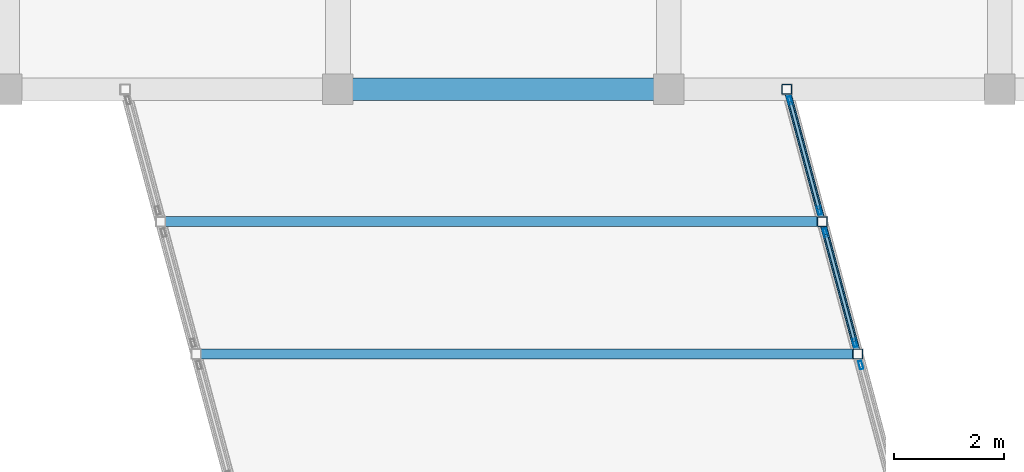
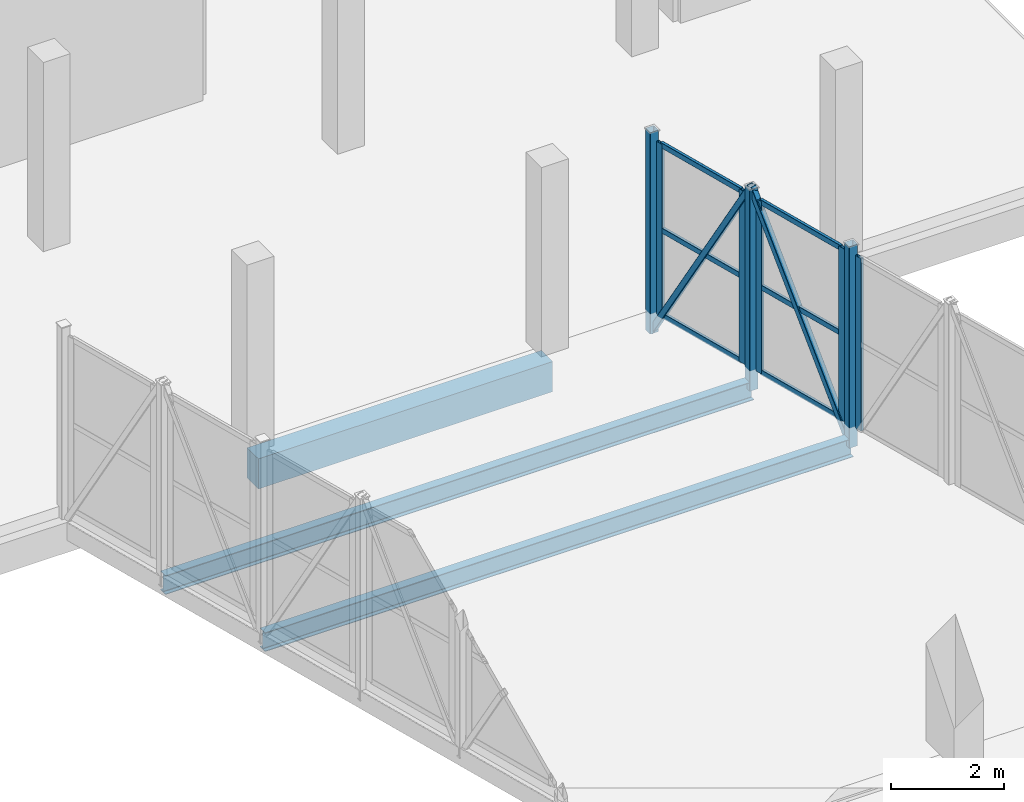
# One storey, part 53 of 127: 16 members, 3 beams, 3 elements without a shape of their own.
"""IFC4 building model written with IfcOpenShell, lengths in metres."""

import ifcopenshell
import ifcopenshell.guid

model = None  # the IFC model being written
_history = None  # IfcOwnerHistory: only IFC2X3 demands one
_inside = {}  # id of a spatial element -> (the spatial element, [elements in it])
_under = {}  # id of a project, library or spatial element -> (it, [spatial elements below it])
_declared = {}  # id of a project -> (the project, [libraries it declares])
_typed = {}  # id of a type object -> (the type object, [elements of that type])
_made_of = {}  # id of a material, layer set ... -> (it, [elements and type objects made of it])


def new_model(schema):
    """Start an empty IFC model of exactly this schema.

    Asked for "IFC4X3", IfcOpenShell would pick the latest addendum, in which some entities
    have other attributes; the version numbers below select the first issue.
    IFC2X3 requires an IfcOwnerHistory on every rooted entity: one is made here for all.
    """
    global model, _history
    if schema == "IFC4X3":
        model = ifcopenshell.file(schema_version=(4, 3, 0, 0))
    else:
        model = ifcopenshell.file(schema=schema)
    _inside.clear()
    _under.clear()
    _declared.clear()
    _typed.clear()
    _made_of.clear()
    _history = None
    if model.schema == "IFC2X3":
        org = make("IfcOrganization", Name="unknown")
        user = make(
            "IfcPersonAndOrganization",
            ThePerson=make("IfcPerson", FamilyName="unknown"),
            TheOrganization=org,
        )
        app = make(
            "IfcApplication",
            ApplicationDeveloper=org,
            Version="unknown",
            ApplicationFullName="unknown",
            ApplicationIdentifier="unknown",
        )
        _history = make(
            "IfcOwnerHistory",
            OwningUser=user,
            OwningApplication=app,
            ChangeAction="ADDED",
            CreationDate=0,
        )
    return model


def make(cls, **values):
    """One entity of the class cls with the attributes given. An attribute that is None is left unset."""
    return model.create_entity(
        cls, **{name: value for name, value in values.items() if value is not None}
    )


def rooted(cls, **values):
    """An entity with a GlobalId (a new one), such as an element, a storey or a relation."""
    return make(cls, GlobalId=ifcopenshell.guid.new(), OwnerHistory=_history, **values)


def si_unit(unit_type, name, prefix=None):
    """IfcSIUnit, for example si_unit("LENGTHUNIT", "METRE", prefix="MILLI")."""
    return make("IfcSIUnit", UnitType=unit_type, Prefix=prefix, Name=name)


def assignment(units):
    """IfcUnitAssignment: the units of a project."""
    return None if units is None else make("IfcUnitAssignment", Units=units)


def point(xyz):
    """IfcCartesianPoint."""
    return None if xyz is None else make("IfcCartesianPoint", Coordinates=xyz)


def direction(xyz):
    """IfcDirection."""
    return None if xyz is None else make("IfcDirection", DirectionRatios=xyz)


def frame(location, z_axis=None, x_axis=None):
    """IfcAxis2Placement3D, a coordinate frame: its origin and axes. An axis left out is left unset."""
    return make(
        "IfcAxis2Placement3D",
        Location=point(location),
        Axis=direction(z_axis),
        RefDirection=direction(x_axis),
    )


def frame_2d(location, x_axis=None):
    """IfcAxis2Placement2D, a coordinate frame in the plane: its origin and x axis."""
    return make(
        "IfcAxis2Placement2D", Location=point(location), RefDirection=direction(x_axis)
    )


def origin():
    """The frame at (0, 0, 0) with its axes left unset."""
    return frame((0.0, 0.0, 0.0))


def origin_2d():
    """The frame at (0, 0) in the plane with its x axis left unset."""
    return frame_2d((0.0, 0.0))


def place(relative_to, where):
    """IfcLocalPlacement: puts the frame where relative to a parent placement (None: the world)."""
    return make(
        "IfcLocalPlacement", PlacementRelTo=relative_to, RelativePlacement=where
    )


def context(
    kind, dimensions, precision=None, world=None, true_north=None, identifier=None
):
    """IfcGeometricRepresentationContext, for example the 3D "Model" context."""
    return make(
        "IfcGeometricRepresentationContext",
        ContextIdentifier=identifier,
        ContextType=kind,
        CoordinateSpaceDimension=dimensions,
        Precision=precision,
        WorldCoordinateSystem=world,
        TrueNorth=true_north,
    )


def subcontext(parent, identifier, kind, view, scale=None):
    """IfcGeometricRepresentationSubContext, for example "Body" below "Model"."""
    return make(
        "IfcGeometricRepresentationSubContext",
        ContextIdentifier=identifier,
        ContextType=kind,
        ParentContext=parent,
        TargetScale=scale,
        TargetView=view,
    )


def project(units=None, contexts=None):
    """IfcProject with its units and contexts."""
    return rooted(
        "IfcProject",
        Name="project",
        RepresentationContexts=contexts,
        UnitsInContext=assignment(units),
    )


def spatial(cls, under=None, at=None, **own):
    """A site, building, storey or space (cls), placed at a placement, below another one or the project."""
    s = rooted(cls, ObjectPlacement=at, **own)
    if under is not None:
        _under.setdefault(under.id(), (under, []))[1].append(s)
    return s


def profile(cls, at=None, kind="AREA", **sizes):
    """A parametric profile (cls). Its sizes go by their IFC names, for example OverallWidth=200.0."""
    return make(cls, ProfileType=kind, Position=at, **sizes)


def rectangle(**sizes):
    """IfcRectangleProfileDef."""
    return profile("IfcRectangleProfileDef", **sizes)


def hollow_rectangle(**sizes):
    """IfcRectangleHollowProfileDef."""
    return profile("IfcRectangleHollowProfileDef", **sizes)


def i_section(**sizes):
    """IfcIShapeProfileDef."""
    return profile("IfcIShapeProfileDef", **sizes)


def extrude(swept, where, along, depth):
    """IfcExtrudedAreaSolid: the profile swept, set in the frame where, extruded along a direction by depth."""
    return make(
        "IfcExtrudedAreaSolid",
        SweptArea=swept,
        Position=where,
        ExtrudedDirection=direction(along),
        Depth=depth,
    )


def shape(context_of_items, identifier, shape_type, items):
    """IfcShapeRepresentation: the items that make up one representation, for example the "Body"."""
    return make(
        "IfcShapeRepresentation",
        ContextOfItems=context_of_items,
        RepresentationIdentifier=identifier,
        RepresentationType=shape_type,
        Items=items,
    )


def material(Name=None, Category=None):
    """IfcMaterial."""
    return make("IfcMaterial", Name=Name, Category=Category)


def layer(
    of_material, thickness, ventilated=None, Name=None, Category=None, Priority=None
):
    """IfcMaterialLayer: one layer of a wall or slab, of a material (None: an air gap)."""
    return make(
        "IfcMaterialLayer",
        Material=of_material,
        LayerThickness=thickness,
        IsVentilated=ventilated,
        Name=Name,
        Category=Category,
        Priority=Priority,
    )


def layer_set(layers, Name=None):
    """IfcMaterialLayerSet."""
    return make("IfcMaterialLayerSet", MaterialLayers=layers, LayerSetName=Name)


def material_profile(
    of_material, cross_section, Name=None, Category=None, Priority=None
):
    """IfcMaterialProfile: a cross section and its material."""
    return make(
        "IfcMaterialProfile",
        Name=Name,
        Material=of_material,
        Profile=cross_section,
        Priority=Priority,
        Category=Category,
    )


def profile_set(profiles, Name=None, composite=None):
    """IfcMaterialProfileSet."""
    return make(
        "IfcMaterialProfileSet",
        Name=Name,
        MaterialProfiles=profiles,
        CompositeProfile=composite,
    )


def made_of(thing, what):
    """Note that an element or type object is made of a material, layer set ...; save() writes the relation."""
    if what is not None:
        _made_of.setdefault(what.id(), (what, []))[1].append(thing)
    return thing


def type_object(cls, material=None, **own):
    """A type object (cls), such as IfcWallType, which elements share."""
    return made_of(rooted(cls, **own), material)


def element(
    cls,
    number,
    at=None,
    inside=None,
    cuts=None,
    type_object=None,
    material=None,
    context=None,
    identifier="Body",
    shape_type=None,
    held_by="IfcProductDefinitionShape",
    body=None,
    shapes=None,
    **own,
):
    """One element of the class cls, such as IfcWall. Its Tag is "e" and its number.

    at: its placement. inside: the storey or other place that contains it. cuts: it is an
    opening in that element (IfcRelVoidsElement). A single representation is given by context,
    identifier, shape_type and body (its items); several are given by shapes. held_by: the class
    of the entity that holds the representations. save() writes the other relations.
    """
    e = rooted(cls, Tag="e%d" % number, ObjectPlacement=at, **own)
    if body is not None:
        shapes = [shape(context, identifier, shape_type, body)]
    if shapes is not None:
        e.Representation = make(held_by, Representations=shapes)
    if inside is not None:
        _inside.setdefault(inside.id(), (inside, []))[1].append(e)
    if cuts is not None:
        rooted(
            "IfcRelVoidsElement", RelatingBuildingElement=cuts, RelatedOpeningElement=e
        )
    if type_object is not None:
        _typed.setdefault(type_object.id(), (type_object, []))[1].append(e)
    return made_of(e, material)


def aggregate(whole, parts):
    """IfcRelAggregates: a whole, such as a stair, and the parts it consists of."""
    return rooted("IfcRelAggregates", RelatingObject=whole, RelatedObjects=parts)


def save(model, path):
    """Write the relations noted so far, then the file.

    IfcRelAggregates (storeys below a building ...), IfcRelContainedInSpatialStructure (elements
    in a storey), IfcRelDefinesByType, IfcRelAssociatesMaterial and IfcRelDeclares: one each for
    every whole, place, type object, material and project.
    """
    for whole, parts in _under.values():
        aggregate(whole, parts)
    for where, things in _inside.values():
        rooted(
            "IfcRelContainedInSpatialStructure",
            RelatedElements=things,
            RelatingStructure=where,
        )
    for kind, things in _typed.values():
        rooted("IfcRelDefinesByType", RelatedObjects=things, RelatingType=kind)
    for what, things in _made_of.values():
        rooted("IfcRelAssociatesMaterial", RelatedObjects=things, RelatingMaterial=what)
    for by, libraries in _declared.values():
        rooted("IfcRelDeclares", RelatingContext=by, RelatedDefinitions=libraries)
    model.write(path)


model = new_model("IFC4")

# Units and contexts
model_context = context("Model", 3, precision=1e-05, world=origin(), true_north=direction((0.0, 1.0)))
body_context = subcontext(model_context, "Body", "Model", "MODEL_VIEW")
ifc_project = project(units=[si_unit("LENGTHUNIT", "METRE"), si_unit("AREAUNIT", "SQUARE_METRE"), si_unit("VOLUMEUNIT", "CUBIC_METRE"), si_unit("PLANEANGLEUNIT", "RADIAN"), si_unit("MASSUNIT", "GRAM", prefix="KILO")], contexts=[model_context])

# Site, building, storey
site_placement = place(None, origin())
site = spatial("IfcSite", under=ifc_project, at=site_placement, CompositionType="ELEMENT")
building_placement = place(site_placement, origin())
building = spatial("IfcBuilding", under=site, at=building_placement, Name="Dunvalen Ferry Terminal", CompositionType="ELEMENT")
storey_placement = place(building_placement, frame((0.0, 0.0, 5.760009765625)))
storey = spatial("IfcBuildingStorey", under=building, at=storey_placement, Name="L01", CompositionType="ELEMENT", Elevation=5.760009765625)

# Curtain wall, member
ifc_material_1 = material(Name="Anodised marine aluminium and solar-control glazing", Category="aluminium")
ifc_layer = layer(ifc_material_1, 0.159912109375, Name="Anodised marine aluminium and solar-control glazing")
ifc_layer_set = layer_set([ifc_layer], Name="Anodised marine aluminium and solar-control glazing")
curtain_wall_type = type_object("IfcCurtainWallType", Name="ENV-CW-SYS-07", PredefinedType="NOTDEFINED", material=ifc_layer_set)
curtain_wall_1_placement = place(storey_placement, origin())
curtain_wall_1 = element("IfcCurtainWall", 1, at=curtain_wall_1_placement, inside=storey, type_object=curtain_wall_type, Name="L01 Curtain Wall CW-BRG1-S2-4", PredefinedType="NOTDEFINED")
ifc_material_2 = material(Name="Anodised marine aluminium EN AW-6063 T6", Category="aluminium")
ifc_material_profile_1 = material_profile(ifc_material_2, hollow_rectangle(XDim=0.06005859375, YDim=0.14990234375, WallThickness=0.00341796875, InnerFilletRadius=0.00341796875, OuterFilletRadius=0.007080078125, at=origin_2d()), Name="Anodised marine aluminium EN AW-6063 T6")
ifc_profile_set_1 = profile_set([ifc_material_profile_1], Name="Anodised marine aluminium EN AW-6063 T6")
member_type_1 = type_object("IfcMemberType", Name="ENV-CW-MUL-3", PredefinedType="MULLION", material=ifc_profile_set_1)
member_1_placement = place(storey_placement, frame((39.481689453125, 95.79833984375, 0.0), z_axis=(0.0, 0.0, 1.0), x_axis=(-0.965934620531, -0.258786222315, 0.0)))
member_1 = element("IfcMember", 2, at=member_1_placement, type_object=member_type_1, Name="CW-07 mullion 2", PredefinedType="MULLION", context=body_context, shape_type="SweptSolid", body=[
    extrude(hollow_rectangle(XDim=0.06005859375, YDim=0.14990234375, WallThickness=0.00341796875, InnerFilletRadius=0.00341796875, OuterFilletRadius=0.007080078125, at=origin_2d()), origin(), (0.0, 0.0, 1.0), 3.719970703125),
])
aggregate(curtain_wall_1, [member_1])

# Curtain wall, members
curtain_wall_2_placement = place(storey_placement, origin())
curtain_wall_2 = element("IfcCurtainWall", 3, at=curtain_wall_2_placement, inside=storey, type_object=curtain_wall_type, Name="L01 Curtain Wall CW-BRG1-S2-5", PredefinedType="NOTDEFINED")
member_2_placement = place(storey_placement, frame((39.37353515625, 96.20166015625, 0.0), z_axis=(0.0, 0.0, 1.0), x_axis=(-0.9659228666, -0.258830090561, 0.0)))
member_2 = element("IfcMember", 4, at=member_2_placement, type_object=member_type_1, Name="CW-07 mullion 1", PredefinedType="MULLION", context=body_context, shape_type="SweptSolid", body=[
    extrude(hollow_rectangle(XDim=0.06005859375, YDim=0.14990234375, WallThickness=0.00341796875, InnerFilletRadius=0.00341796875, OuterFilletRadius=0.007080078125, at=origin_2d()), origin(), (0.0, 0.0, 1.0), 3.719970703125),
])
member_3_placement = place(storey_placement, frame((38.838623046875, 98.1982421875, 0.0), z_axis=(0.0, 0.0, 1.0), x_axis=(-0.9659228666, -0.258830090561, 0.0)))
member_3 = element("IfcMember", 5, at=member_3_placement, type_object=member_type_1, Name="CW-07 mullion 2", PredefinedType="MULLION", context=body_context, shape_type="SweptSolid", body=[
    extrude(hollow_rectangle(XDim=0.06005859375, YDim=0.14990234375, WallThickness=0.00341796875, InnerFilletRadius=0.00341796875, OuterFilletRadius=0.007080078125, at=origin_2d()), origin(), (0.0, 0.0, 1.0), 3.719970703125),
])

curtain_wall_3_placement = place(storey_placement, origin())
curtain_wall_3 = element("IfcCurtainWall", 6, at=curtain_wall_3_placement, inside=storey, type_object=curtain_wall_type, Name="L01 Curtain Wall CW-BRG1-S2-6", PredefinedType="NOTDEFINED")
member_4_placement = place(storey_placement, frame((38.73046875, 98.601806640625, 0.0), z_axis=(0.0, 0.0, 1.0), x_axis=(-0.9659228666, -0.258830090561, 0.0)))
member_4 = element("IfcMember", 7, at=member_4_placement, type_object=member_type_1, Name="CW-07 mullion 1", PredefinedType="MULLION", context=body_context, shape_type="SweptSolid", body=[
    extrude(hollow_rectangle(XDim=0.06005859375, YDim=0.14990234375, WallThickness=0.00341796875, InnerFilletRadius=0.00341796875, OuterFilletRadius=0.007080078125, at=origin_2d()), origin(), (0.0, 0.0, 1.0), 3.719970703125),
])
member_5_placement = place(storey_placement, frame((38.195556640625, 100.59814453125, 0.0), z_axis=(0.0, 0.0, 1.0), x_axis=(-0.9659228666, -0.258830090561, 0.0)))
member_5 = element("IfcMember", 8, at=member_5_placement, type_object=member_type_1, Name="CW-07 mullion 2", PredefinedType="MULLION", context=body_context, shape_type="SweptSolid", body=[
    extrude(hollow_rectangle(XDim=0.06005859375, YDim=0.14990234375, WallThickness=0.00341796875, InnerFilletRadius=0.00341796875, OuterFilletRadius=0.007080078125, at=origin_2d()), origin(), (0.0, 0.0, 1.0), 3.719970703125),
])

# Member
ifc_material_profile_2 = material_profile(ifc_material_2, hollow_rectangle(XDim=0.06005859375, YDim=0.114990234375, WallThickness=0.0029296875, InnerFilletRadius=0.0029296875, OuterFilletRadius=0.006103515625, at=origin_2d()), Name="Anodised marine aluminium EN AW-6063 T6")
ifc_profile_set_2 = profile_set([ifc_material_profile_2], Name="Anodised marine aluminium EN AW-6063 T6")
member_type_2 = type_object("IfcMemberType", Name="ENV-CW-TRN-3", PredefinedType="USERDEFINED", material=ifc_profile_set_2)
member_6_placement = place(storey_placement, frame((39.365966796875, 96.230712890625, 0.030029296875), z_axis=(-0.258873913014, 0.965911122806, 0.0), x_axis=(-0.965911122806, -0.258873913014, 0.0)))
member_6 = element("IfcMember", 9, at=member_6_placement, type_object=member_type_2, Name="CW-07 transom 1.1", ObjectType="TRANSOM", PredefinedType="USERDEFINED", context=body_context, shape_type="SweptSolid", body=[
    extrude(hollow_rectangle(XDim=0.06005859375, YDim=0.114990234375, WallThickness=0.0029296875, InnerFilletRadius=0.0029296875, OuterFilletRadius=0.006103515625, at=origin_2d()), origin(), (0.0, 0.0, 1.0), 2.0068359375),
])

member_7_placement = place(storey_placement, frame((39.365966796875, 96.230712890625, 1.860107421875), z_axis=(-0.258873913014, 0.965911122806, 0.0), x_axis=(-0.965911122806, -0.258873913014, 0.0)))
member_7 = element("IfcMember", 10, at=member_7_placement, type_object=member_type_2, Name="CW-07 transom 1.2", ObjectType="TRANSOM", PredefinedType="USERDEFINED", context=body_context, shape_type="SweptSolid", body=[
    extrude(hollow_rectangle(XDim=0.06005859375, YDim=0.114990234375, WallThickness=0.0029296875, InnerFilletRadius=0.0029296875, OuterFilletRadius=0.006103515625, at=origin_2d()), origin(), (0.0, 0.0, 1.0), 2.0068359375),
])

member_8_placement = place(storey_placement, frame((39.365966796875, 96.230712890625, 3.68994140625), z_axis=(-0.258873913014, 0.965911122806, 0.0), x_axis=(-0.965911122806, -0.258873913014, 0.0)))
member_8 = element("IfcMember", 11, at=member_8_placement, type_object=member_type_2, Name="CW-07 transom 1.3", ObjectType="TRANSOM", PredefinedType="USERDEFINED", context=body_context, shape_type="SweptSolid", body=[
    extrude(hollow_rectangle(XDim=0.06005859375, YDim=0.114990234375, WallThickness=0.0029296875, InnerFilletRadius=0.0029296875, OuterFilletRadius=0.006103515625, at=origin_2d()), origin(), (0.0, 0.0, 1.0), 2.0068359375),
])

aggregate(curtain_wall_2, [member_2, member_3, member_6, member_7, member_8])

member_9_placement = place(storey_placement, frame((38.72265625, 98.630859375, 0.030029296875), z_axis=(-0.258760408924, 0.965941535898, 0.0), x_axis=(-0.965941535898, -0.258760408924, 0.0)))
member_9 = element("IfcMember", 12, at=member_9_placement, type_object=member_type_2, Name="CW-07 transom 1.1", ObjectType="TRANSOM", PredefinedType="USERDEFINED", context=body_context, shape_type="SweptSolid", body=[
    extrude(hollow_rectangle(XDim=0.06005859375, YDim=0.114990234375, WallThickness=0.0029296875, InnerFilletRadius=0.0029296875, OuterFilletRadius=0.006103515625, at=origin_2d()), origin(), (0.0, 0.0, 1.0), 2.0068359375),
])

member_10_placement = place(storey_placement, frame((38.72265625, 98.630859375, 1.860107421875), z_axis=(-0.258760408924, 0.965941535898, 0.0), x_axis=(-0.965941535898, -0.258760408924, 0.0)))
member_10 = element("IfcMember", 13, at=member_10_placement, type_object=member_type_2, Name="CW-07 transom 1.2", ObjectType="TRANSOM", PredefinedType="USERDEFINED", context=body_context, shape_type="SweptSolid", body=[
    extrude(hollow_rectangle(XDim=0.06005859375, YDim=0.114990234375, WallThickness=0.0029296875, InnerFilletRadius=0.0029296875, OuterFilletRadius=0.006103515625, at=origin_2d()), origin(), (0.0, 0.0, 1.0), 2.0068359375),
])

member_11_placement = place(storey_placement, frame((38.72265625, 98.630859375, 3.68994140625), z_axis=(-0.258760408924, 0.965941535898, 0.0), x_axis=(-0.965941535898, -0.258760408924, 0.0)))
member_11 = element("IfcMember", 14, at=member_11_placement, type_object=member_type_2, Name="CW-07 transom 1.3", ObjectType="TRANSOM", PredefinedType="USERDEFINED", context=body_context, shape_type="SweptSolid", body=[
    extrude(hollow_rectangle(XDim=0.06005859375, YDim=0.114990234375, WallThickness=0.0029296875, InnerFilletRadius=0.0029296875, OuterFilletRadius=0.006103515625, at=origin_2d()), origin(), (0.0, 0.0, 1.0), 2.0068359375),
])

aggregate(curtain_wall_3, [member_4, member_5, member_9, member_10, member_11])

# Beams
ifc_material_3 = material(Name="Concrete C40/50", Category="concrete")
ifc_material_profile_3 = material_profile(ifc_material_3, rectangle(XDim=0.39990234375, YDim=0.64990234375, at=origin_2d()), Name="Concrete C40/50")
ifc_profile_set_3 = profile_set([ifc_material_profile_3], Name="Concrete C40/50")
beam_type_1 = type_object("IfcBeamType", Name="STR-BM-RCB650", PredefinedType="BEAM", material=ifc_profile_set_3)
beam_placement = place(storey_placement, frame((30.0, 100.800048828125, -0.56494140625), z_axis=(1.0, 0.0, 0.0), x_axis=(0.0, 1.0, 0.0)))
element("IfcBeam", 15, at=beam_placement, inside=storey, type_object=beam_type_1, Name="L01 V3B1 Primary Beam X-002", PredefinedType="BEAM", context=body_context, shape_type="SweptSolid", body=[
    extrude(rectangle(XDim=0.39990234375, YDim=0.64990234375, at=origin_2d()), origin(), (0.0, 0.0, 1.0), 6.0),
])
ifc_material_4 = material(Name="Steel S355", Category="steel")
ifc_material_profile_4 = material_profile(ifc_material_4, i_section(OverallWidth=0.177978515625, OverallDepth=0.406494140625, WebThickness=0.0078125, FlangeThickness=0.0126953125, FilletRadius=0.01025390625, at=origin_2d()), Name="Steel S355")
ifc_profile_set_4 = profile_set([ifc_material_profile_4], Name="Steel S355")
beam_type_2 = type_object("IfcBeamType", Name="STR-BM-UKB406", PredefinedType="JOIST", material=ifc_profile_set_4)
for number, where, z_axis, x_axis, name in (
    (16, (27.427734375, 96.0, -0.449951171875), (1.0, 0.0, 0.0), (0.0, 1.0, 0.0), "Boarding Bridge 1 Floor Crossbeam 4"),
    (17, (26.78466796875, 98.39990234375, -0.449951171875), (1.0, 0.0, 0.0), (0.0, 1.0, 0.0), "Boarding Bridge 1 Floor Crossbeam 5"),
):
    element("IfcBeam", number, at=place(storey_placement, frame(where, z_axis=z_axis, x_axis=x_axis)), inside=storey, type_object=beam_type_2, Name=name, PredefinedType="JOIST", context=body_context, shape_type="SweptSolid", body=[
        extrude(i_section(OverallWidth=0.177978515625, OverallDepth=0.406494140625, WebThickness=0.0078125, FlangeThickness=0.0126953125, FilletRadius=0.01025390625, at=origin_2d()), origin(), (0.0, 0.0, 1.0), 12.0),
    ])

# Members
ifc_material_profile_5 = material_profile(ifc_material_4, hollow_rectangle(XDim=0.1201171875, YDim=0.1201171875, WallThickness=0.00634765625, InnerFilletRadius=0.00634765625, OuterFilletRadius=0.0126953125, at=origin_2d()), Name="Steel S355")
ifc_profile_set_5 = profile_set([ifc_material_profile_5], Name="Steel S355")
member_type_3 = type_object("IfcMemberType", Name="STR-MB-SHS120", PredefinedType="BRACE", material=ifc_profile_set_5)
for number, where, z_axis, x_axis, name in (
    (18, (39.427734375, 96.0, -0.43994140625), (-0.128594483559, 0.479910316395, 0.867841890563), (-0.965924366126, -0.258824494443, 0.0), "Boarding Bridge 1 Warren Diagonal 2.5"),
    (19, (38.78466796875, 98.39990234375, 3.89990234375), (-0.128591470582, 0.47994789191, -0.867821556972), (-0.965930947833, -0.258799930484, 0.0), "Boarding Bridge 1 Warren Diagonal 2.6"),
):
    element("IfcMember", number, at=place(storey_placement, frame(where, z_axis=z_axis, x_axis=x_axis)), inside=storey, type_object=member_type_3, Name=name, PredefinedType="BRACE", context=body_context, shape_type="SweptSolid", body=[
        extrude(hollow_rectangle(XDim=0.1201171875, YDim=0.1201171875, WallThickness=0.00634765625, InnerFilletRadius=0.00634765625, OuterFilletRadius=0.0126953125, at=origin_2d()), origin(), (0.0, 0.0, 1.0), 5.000732421875),
    ])
ifc_material_profile_6 = material_profile(ifc_material_4, hollow_rectangle(XDim=0.179931640625, YDim=0.179931640625, WallThickness=0.008056640625, InnerFilletRadius=0.008056640625, OuterFilletRadius=0.01611328125, at=origin_2d()), Name="Steel S355")
ifc_profile_set_6 = profile_set([ifc_material_profile_6], Name="Steel S355")
member_type_4 = type_object("IfcMemberType", Name="STR-MB-SHS180", PredefinedType="STRUT", material=ifc_profile_set_6)
for number, where, z_axis, x_axis, name in (
    (20, (39.427734375, 96.0, -0.43994140625), (0.0, 0.0, 1.0), (1.0, 0.0, 0.0), "Boarding Bridge 1 Truss Post 2.4"),
    (21, (38.78466796875, 98.39990234375, -0.43994140625), (0.0, 0.0, 1.0), (1.0, 0.0, 0.0), "Boarding Bridge 1 Truss Post 2.5"),
    (22, (38.1416015625, 100.800048828125, -0.43994140625), (0.0, 0.0, 1.0), (1.0, 0.0, 0.0), "Boarding Bridge 1 Truss Post 2.6"),
):
    element("IfcMember", number, at=place(storey_placement, frame(where, z_axis=z_axis, x_axis=x_axis)), inside=storey, type_object=member_type_4, Name=name, PredefinedType="STRUT", context=body_context, shape_type="SweptSolid", body=[
        extrude(hollow_rectangle(XDim=0.179931640625, YDim=0.179931640625, WallThickness=0.008056640625, InnerFilletRadius=0.008056640625, OuterFilletRadius=0.01611328125, at=origin_2d()), origin(), (0.0, 0.0, 1.0), 4.33984375),
    ])

save(model, "model.ifc")
